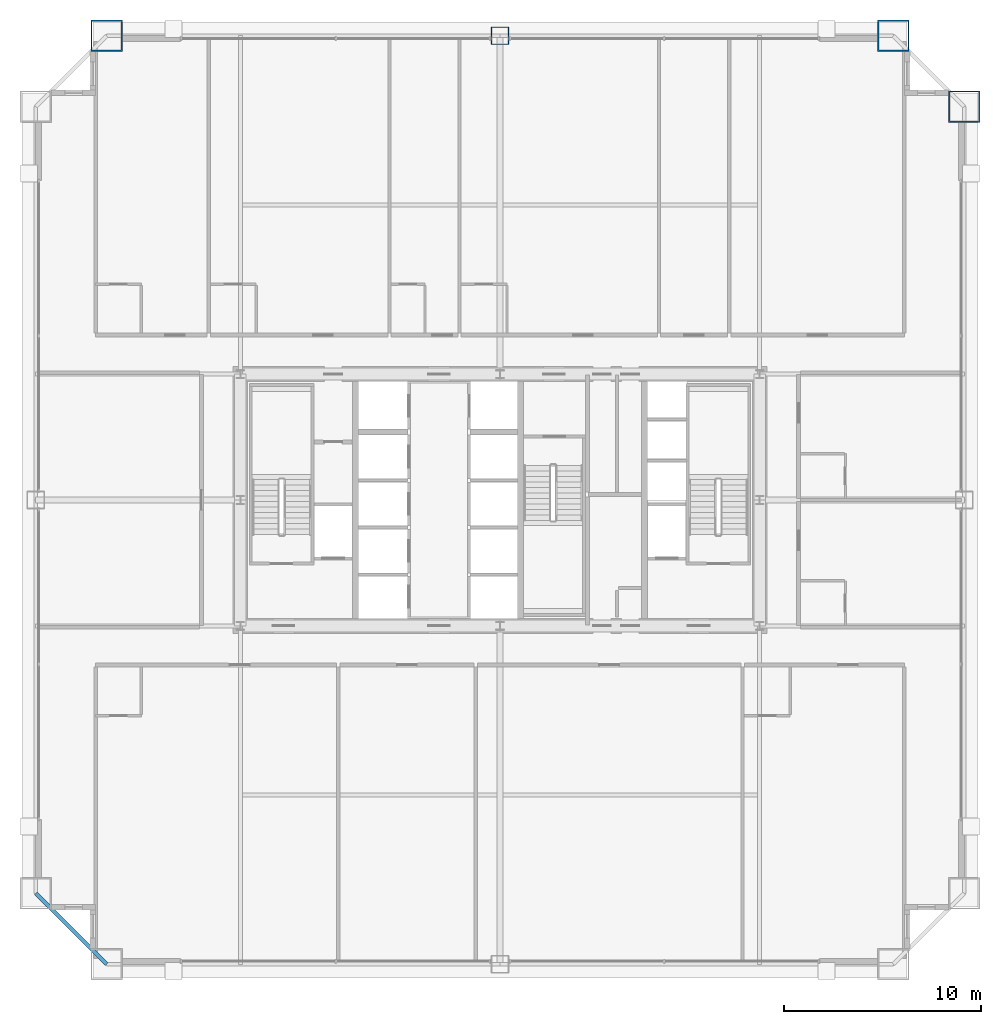
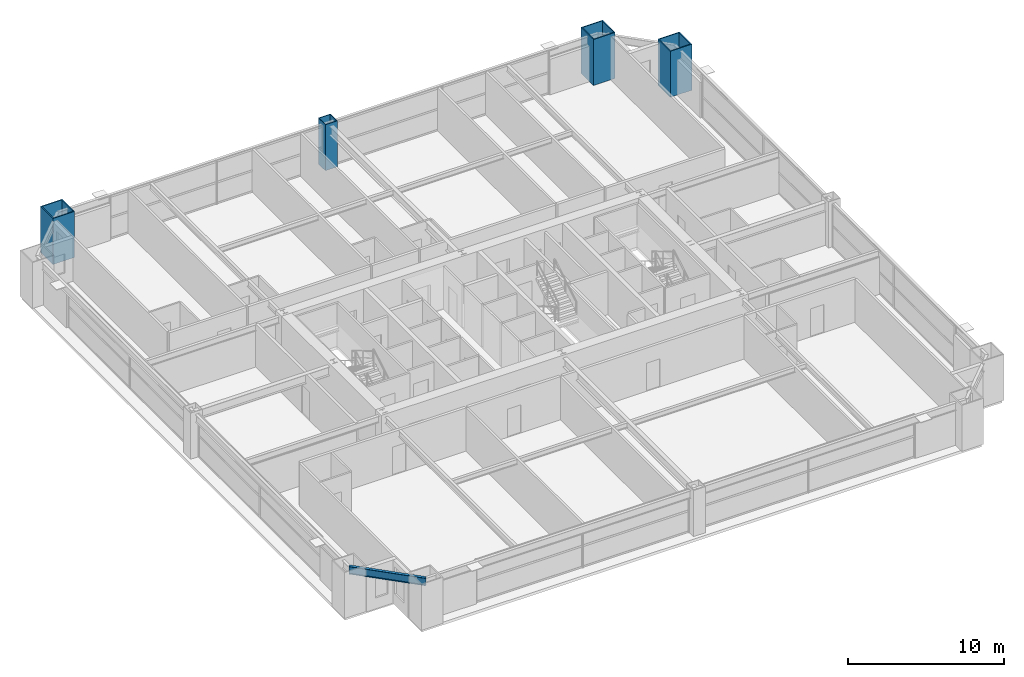
# One storey, part 2 of 38: 4 columns, 1 beam.
"""IFC4 building model written with IfcOpenShell, lengths in metres."""

from ifc_helpers import new_model, si_unit, direction, frame, origin, origin_2d, place, context, subcontext, project, spatial, hollow_rectangle, i_section, extrude, source, transform, mapped, material, material_profile, profile_set, type_object, element, save


model = new_model("IFC4")

# Units and contexts
model_context = context("Model", 3, precision=1e-05, world=origin(), true_north=direction((0.0, 1.0)))
body_context = subcontext(model_context, "Body", "Model", "MODEL_VIEW")
ifc_project = project(units=[si_unit("LENGTHUNIT", "METRE"), si_unit("AREAUNIT", "SQUARE_METRE"), si_unit("VOLUMEUNIT", "CUBIC_METRE"), si_unit("PLANEANGLEUNIT", "RADIAN"), si_unit("MASSUNIT", "GRAM", prefix="KILO"), si_unit("THERMODYNAMICTEMPERATUREUNIT", "KELVIN"), si_unit("POWERUNIT", "WATT")], contexts=[model_context])

# Site, building, storey
site_placement = place(None, origin())
site = spatial("IfcSite", under=ifc_project, at=site_placement, CompositionType="ELEMENT")
building_placement = place(site_placement, origin())
building = spatial("IfcBuilding", under=site, at=building_placement, Name="Yuzanri Waterfront Tower", CompositionType="ELEMENT")
storey_placement = place(building_placement, frame((0.0, 0.0, 119.0)))
storey = spatial("IfcBuildingStorey", under=building, at=storey_placement, Name="L31", CompositionType="ELEMENT", Elevation=119.0)

# Columns
ifc_material_1 = material(Name="Steel Q390GJC", Category="steel")
ifc_material_profile_1 = material_profile(ifc_material_1, hollow_rectangle(XDim=0.89990234375, YDim=0.89990234375, WallThickness=0.0419921875, at=origin_2d()), Name="RHS 900x900x42")
ifc_profile_set_1 = profile_set([ifc_material_profile_1], Name="Steel Q390GJC")
column_type_1 = type_object("IfcColumnType", Name="Frame Column Q390GJC RHS 900x900x42", PredefinedType="COLUMN", material=ifc_profile_set_1)
shared_shape_1 = source(origin(), body_context, "Body", "SweptSolid", [
    extrude(hollow_rectangle(XDim=0.89990234375, YDim=0.89990234375, WallThickness=0.0419921875, at=origin_2d()), origin(), (0.0, 0.0, 1.0), 3.60009765625),
])
column_placement = place(storey_placement, frame((37.0, 49.39990234375, 0.0), z_axis=(0.0, 0.0, 1.0), x_axis=(1.0, 0.0, 0.0)))
element("IfcColumn", 1, at=column_placement, inside=storey, type_object=column_type_1, Name="L31 Perimeter Frame Column N2", PredefinedType="COLUMN", context=body_context, shape_type="MappedRepresentation", body=[
    mapped(shared_shape_1, transform((0.0, 0.0, 0.0), scale=1.0)),
])
ifc_material_2 = material(Name="Steel Q420GJC", Category="steel")
ifc_material_profile_2 = material_profile(ifc_material_2, hollow_rectangle(XDim=1.60009765625, YDim=1.60009765625, WallThickness=0.070068359375, at=origin_2d()), Name="RHS 1600x1600x70")
ifc_profile_set_2 = profile_set([ifc_material_profile_2], Name="Steel Q420GJC")
column_type_2 = type_object("IfcColumnType", Name="Mega Column Q420GJC RHS 1600x1600x70", PredefinedType="COLUMN", material=ifc_profile_set_2)
shared_shape_2 = source(origin(), body_context, "Body", "SweptSolid", [
    extrude(hollow_rectangle(XDim=1.60009765625, YDim=1.60009765625, WallThickness=0.070068359375, at=origin_2d()), origin(), (0.0, 0.0, 1.0), 3.60009765625),
])
for number, where, z_axis, x_axis, name in (
    (2, (17.0, 49.39990234375, 0.0), (0.0, 0.0, 1.0), (1.0, 0.0, 0.0), "L31 Perimeter Mega Column N1"),
    (3, (57.0, 49.39990234375, 0.0), (0.0, 0.0, 1.0), (1.0, 0.0, 0.0), "L31 Perimeter Mega Column N3"),
    (4, (60.60009765625, 45.800048828125, 0.0), (0.0, 0.0, 1.0), (1.0, 0.0, 0.0), "L31 Perimeter Mega Column E3"),
):
    element("IfcColumn", number, at=place(storey_placement, frame(where, z_axis=z_axis, x_axis=x_axis)), inside=storey, type_object=column_type_2, Name=name, PredefinedType="COLUMN", context=body_context, shape_type="MappedRepresentation", body=[
        mapped(shared_shape_2, transform((0.0, 0.0, 0.0), scale=1.0)),
    ])

# Beam
ifc_material_3 = material(Name="Steel Q355B", Category="steel")
ifc_material_profile_3 = material_profile(ifc_material_3, i_section(OverallWidth=0.199951171875, OverallDepth=0.60009765625, WebThickness=0.010986328125, FlangeThickness=0.01708984375, at=origin_2d()), Name="HN 600x200x11x17")
ifc_profile_set_3 = profile_set([ifc_material_profile_3], Name="Steel Q355B")
beam_type = type_object("IfcBeamType", Name="Perimeter Spandrel Q355B HN 600x200", PredefinedType="SPANDREL", material=ifc_profile_set_3)
shared_shape_3 = source(origin(), body_context, "Body", "SweptSolid", [
    extrude(i_section(OverallWidth=0.199951171875, OverallDepth=0.60009765625, WebThickness=0.010986328125, FlangeThickness=0.01708984375, at=origin_2d()), origin(), (0.0, 0.0, 1.0), 5.09130859375),
])
beam_placement = place(storey_placement, frame((13.39990234375, 5.800048828125, 3.080078125), z_axis=(0.707106781187, -0.707106781187, 0.0), x_axis=(0.707106781187, 0.707106781187, 0.0)))
element("IfcBeam", 5, at=beam_placement, inside=storey, type_object=beam_type, Name="L31 Perimeter Spandrel W1-S1", PredefinedType="SPANDREL", context=body_context, shape_type="MappedRepresentation", body=[
    mapped(shared_shape_3, transform((0.0, 0.0, 0.0), scale=1.0)),
])

save(model, "model.ifc")
